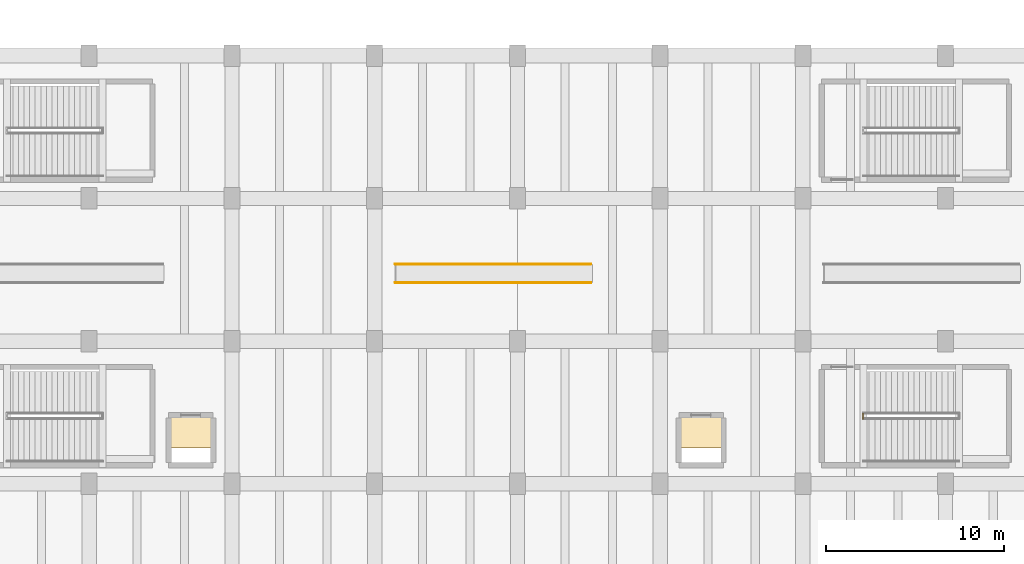
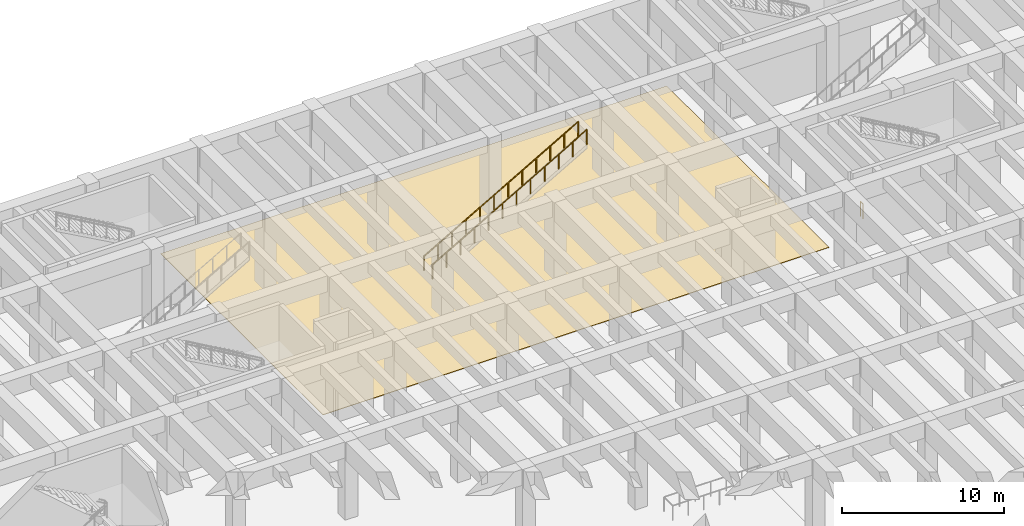
# One storey, part 20 of 24: 3 railings, 1 covering.
"""IFC4 building model written with IfcOpenShell, lengths in metres."""

from ifc_helpers import new_model, si_unit, direction, frame, origin, origin_2d, place, context, subcontext, project, spatial, polyline, circle, outline, extrude, material, layer, layer_set, type_object, element, save


model = new_model("IFC4")

# Units and contexts
model_context = context("Model", 3, precision=1e-05, world=origin(), true_north=direction((0.0, 1.0)))
body_context = subcontext(model_context, "Body", "Model", "MODEL_VIEW")
ifc_project = project(units=[si_unit("LENGTHUNIT", "METRE"), si_unit("AREAUNIT", "SQUARE_METRE"), si_unit("VOLUMEUNIT", "CUBIC_METRE"), si_unit("PLANEANGLEUNIT", "RADIAN"), si_unit("MASSUNIT", "GRAM", prefix="KILO")], contexts=[model_context])

# Site, building, storey
site_placement = place(None, origin())
site = spatial("IfcSite", under=ifc_project, at=site_placement, CompositionType="ELEMENT")
building_placement = place(site_placement, origin())
building = spatial("IfcBuilding", under=site, at=building_placement, Name="Varnela Railside Interchange", CompositionType="ELEMENT")
storey_placement = place(building_placement, frame((0.0, 0.0, -6.300048828125)))
storey = spatial("IfcBuildingStorey", under=building, at=storey_placement, Name="B1", CompositionType="ELEMENT", Elevation=-6.300048828125)

# Railings
ifc_material_1 = material(Name="Glass laminated double", Category="glass")
railing_type_1 = type_object("IfcRailingType", Name="Concourse Atrium Balustrade BL-01", PredefinedType="BALUSTRADE", material=ifc_material_1)
railing_1_placement = place(storey_placement, frame((77.14990234375, 49.280029296875, 0.0)))
element("IfcRailing", 1, at=railing_1_placement, inside=storey, type_object=railing_type_1, Name="Escalator Inclined Balustrade ES5-S (RL-0128)", PredefinedType="BALUSTRADE", context=body_context, shape_type="SweptSolid", body=[
    extrude(circle(Radius=0.02392578125, at=origin_2d()), frame((0.0, 0.0, 1.09619140625), z_axis=(0.867173461285, 0.0, 0.498006212856), x_axis=(0.0, 1.0, 0.0)), (0.0, 0.0, 1.0), 12.650634765625),
    extrude(circle(Radius=0.02099609375, at=origin_2d()), origin(), (0.0, 0.0, 1.0), 1.072021484375),
    extrude(circle(Radius=0.02099609375, at=origin_2d()), frame((0.997314453125, 0.0, 0.57275390625)), (0.0, 0.0, 1.0), 1.072021484375),
    extrude(circle(Radius=0.02099609375, at=origin_2d()), frame((1.99462890625, 0.0, 1.1455078125)), (0.0, 0.0, 1.0), 1.072021484375),
    extrude(circle(Radius=0.02099609375, at=origin_2d()), frame((2.991943359375, 0.0, 1.71826171875)), (0.0, 0.0, 1.0), 1.072021484375),
    extrude(circle(Radius=0.02099609375, at=origin_2d()), frame((3.9892578125, 0.0, 2.291015625)), (0.0, 0.0, 1.0), 1.072021484375),
    extrude(circle(Radius=0.02099609375, at=origin_2d()), frame((4.986572265625, 0.0, 2.86376953125)), (0.0, 0.0, 1.0), 1.072021484375),
    extrude(circle(Radius=0.02099609375, at=origin_2d()), frame((5.983642578125, 0.0, 3.436279296875)), (0.0, 0.0, 1.0), 1.072021484375),
    extrude(circle(Radius=0.02099609375, at=origin_2d()), frame((6.98095703125, 0.0, 4.009033203125)), (0.0, 0.0, 1.0), 1.072021484375),
    extrude(circle(Radius=0.02099609375, at=origin_2d()), frame((7.978271484375, 0.0, 4.581787109375)), (0.0, 0.0, 1.0), 1.072021484375),
    extrude(circle(Radius=0.02099609375, at=origin_2d()), frame((8.9755859375, 0.0, 5.154541015625)), (0.0, 0.0, 1.0), 1.072021484375),
    extrude(circle(Radius=0.02099609375, at=origin_2d()), frame((9.972900390625, 0.0, 5.727294921875)), (0.0, 0.0, 1.0), 1.072021484375),
    extrude(circle(Radius=0.02099609375, at=origin_2d()), frame((10.97021484375, 0.0, 6.300048828125)), (0.0, 0.0, 1.0), 1.072021484375),
])
railing_2_placement = place(storey_placement, frame((77.14990234375, 50.320068359375, 0.0)))
element("IfcRailing", 2, at=railing_2_placement, inside=storey, type_object=railing_type_1, Name="Escalator Inclined Balustrade ES5-N (RL-0127)", PredefinedType="BALUSTRADE", context=body_context, shape_type="SweptSolid", body=[
    extrude(circle(Radius=0.02392578125, at=origin_2d()), frame((0.0, 0.0, 1.09619140625), z_axis=(0.867173461285, 0.0, 0.498006212856), x_axis=(0.0, 1.0, 0.0)), (0.0, 0.0, 1.0), 12.650634765625),
    extrude(circle(Radius=0.02099609375, at=origin_2d()), origin(), (0.0, 0.0, 1.0), 1.072021484375),
    extrude(circle(Radius=0.02099609375, at=origin_2d()), frame((0.997314453125, 0.0, 0.57275390625)), (0.0, 0.0, 1.0), 1.072021484375),
    extrude(circle(Radius=0.02099609375, at=origin_2d()), frame((1.99462890625, 0.0, 1.1455078125)), (0.0, 0.0, 1.0), 1.072021484375),
    extrude(circle(Radius=0.02099609375, at=origin_2d()), frame((2.991943359375, 0.0, 1.71826171875)), (0.0, 0.0, 1.0), 1.072021484375),
    extrude(circle(Radius=0.02099609375, at=origin_2d()), frame((3.9892578125, 0.0, 2.291015625)), (0.0, 0.0, 1.0), 1.072021484375),
    extrude(circle(Radius=0.02099609375, at=origin_2d()), frame((4.986572265625, 0.0, 2.86376953125)), (0.0, 0.0, 1.0), 1.072021484375),
    extrude(circle(Radius=0.02099609375, at=origin_2d()), frame((5.983642578125, 0.0, 3.436279296875)), (0.0, 0.0, 1.0), 1.072021484375),
    extrude(circle(Radius=0.02099609375, at=origin_2d()), frame((6.98095703125, 0.0, 4.009033203125)), (0.0, 0.0, 1.0), 1.072021484375),
    extrude(circle(Radius=0.02099609375, at=origin_2d()), frame((7.978271484375, 0.0, 4.581787109375)), (0.0, 0.0, 1.0), 1.072021484375),
    extrude(circle(Radius=0.02099609375, at=origin_2d()), frame((8.9755859375, 0.0, 5.154541015625)), (0.0, 0.0, 1.0), 1.072021484375),
    extrude(circle(Radius=0.02099609375, at=origin_2d()), frame((9.972900390625, 0.0, 5.727294921875)), (0.0, 0.0, 1.0), 1.072021484375),
    extrude(circle(Radius=0.02099609375, at=origin_2d()), frame((10.97021484375, 0.0, 6.300048828125)), (0.0, 0.0, 1.0), 1.072021484375),
])

# Covering
ifc_material_2 = material(Name="Concrete C40 precast", Category="concrete")
ifc_layer = layer(ifc_material_2, 0.034912109375)
ifc_layer_set = layer_set([ifc_layer], Name="Concrete C40 precast")
covering_type = type_object("IfcCoveringType", Name="Heavy-Duty Granite Terrazzo Flooring CV-FLR", PredefinedType="FLOORING", material=ifc_layer_set)
covering_placement = place(storey_placement, origin())
element("IfcCovering", 3, at=covering_placement, inside=storey, type_object=covering_type, Name="Heavy-Duty Granite Terrazzo Flooring CV-FLR", PredefinedType="FLOORING", context=body_context, shape_type="SweptSolid", body=[
    extrude(outline(polyline([(64.0, 40.0), (100.0, 40.0), (100.0, 60.0), (64.0, 60.0), (64.0, 40.0)])), origin(), (0.0, 0.0, 1.0), 0.03515625),
])

# Railing
ifc_material_3 = material(Name="Steel AR 350 (350 MPa)", Category="steel")
railing_type_2 = type_object("IfcRailingType", Name="Stair Well & Landing Guard GR-02", PredefinedType="GUARDRAIL", material=ifc_material_3)
railing_3_placement = place(storey_placement, frame((103.3701171875, 41.64990234375, 0.0)))
element("IfcRailing", 4, at=railing_3_placement, inside=storey, type_object=railing_type_2, Name="Stair Well Slot Guard ST-C2 on B1 (RL-0085)", PredefinedType="GUARDRAIL", context=body_context, shape_type="SweptSolid", body=[
    extrude(circle(Radius=0.02392578125, at=origin_2d()), frame((0.0, 0.0, 1.09619140625), z_axis=(0.0, 1.0, 0.0), x_axis=(-1.0, 0.0, 0.0)), (0.0, 0.0, 1.0), 0.300048828125),
    extrude(circle(Radius=0.02099609375, at=origin_2d()), origin(), (0.0, 0.0, 1.0), 1.072021484375),
    extrude(circle(Radius=0.02099609375, at=origin_2d()), frame((0.0, 0.300048828125, 0.0)), (0.0, 0.0, 1.0), 1.072021484375),
])

save(model, "model.ifc")
